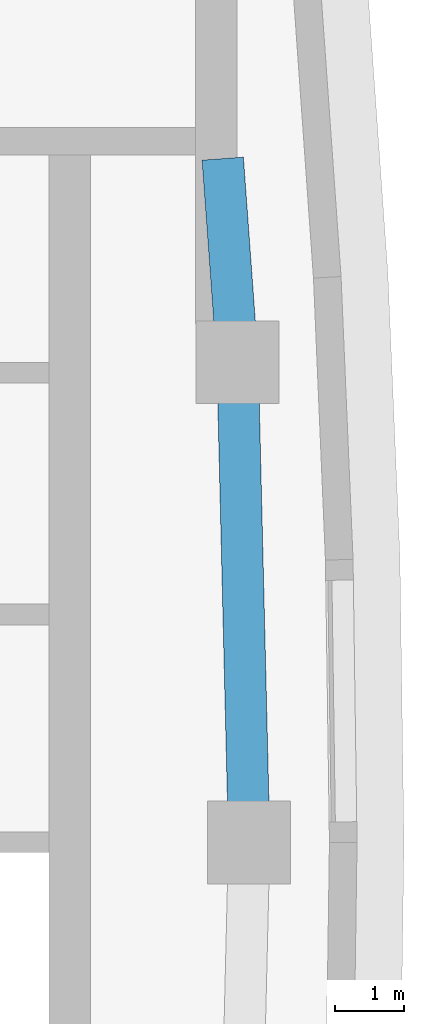
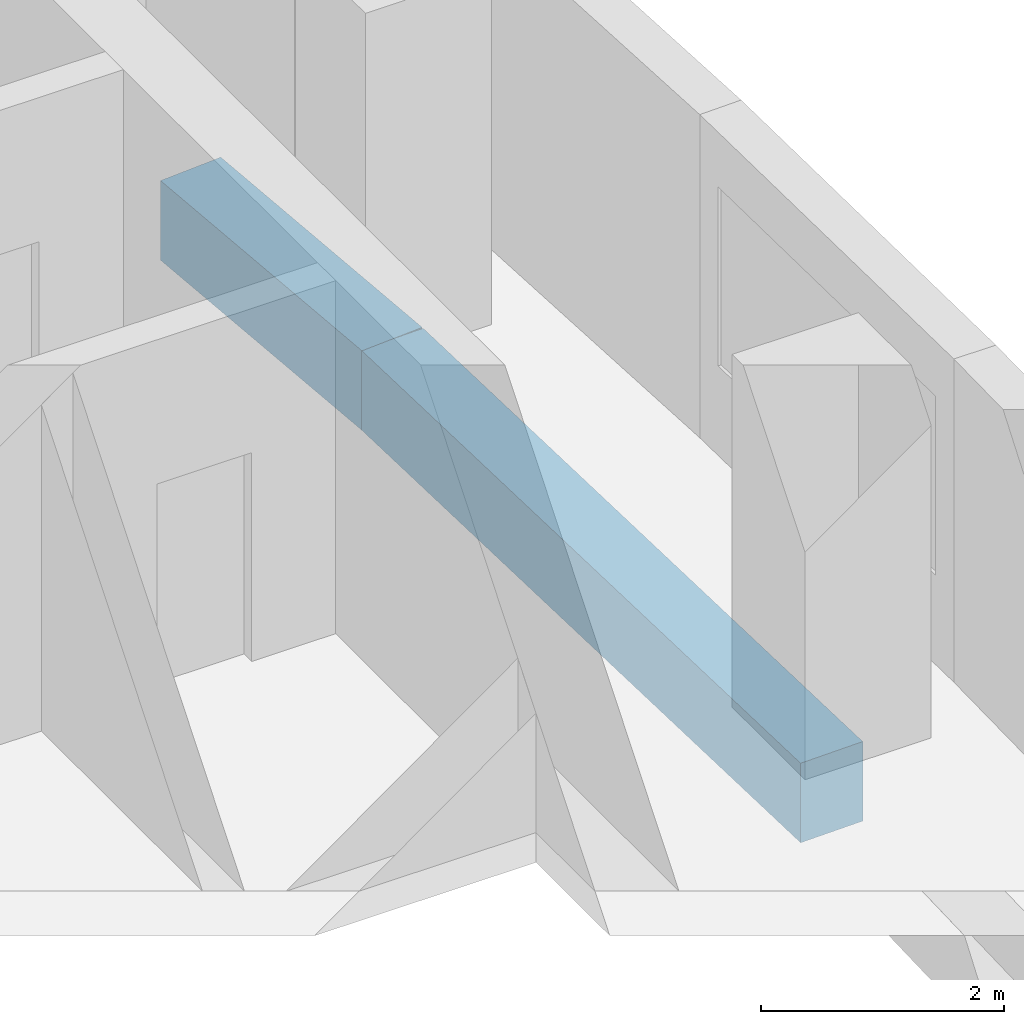
# One storey, part 5 of 15: 2 beams.
"""IFC4 building model written with IfcOpenShell, lengths in metres."""

from ifc_helpers import new_model, si_unit, direction, frame, origin, origin_2d, place, context, subcontext, project, spatial, rectangle, extrude, material, material_profile, profile_set, type_object, element, save


model = new_model("IFC4")

# Units and contexts
model_context = context("Model", 3, precision=1e-05, world=origin(), true_north=direction((0.0, 1.0)))
body_context = subcontext(model_context, "Body", "Model", "MODEL_VIEW")
ifc_project = project(units=[si_unit("LENGTHUNIT", "METRE"), si_unit("AREAUNIT", "SQUARE_METRE"), si_unit("VOLUMEUNIT", "CUBIC_METRE"), si_unit("PLANEANGLEUNIT", "RADIAN"), si_unit("MASSUNIT", "GRAM", prefix="KILO")], contexts=[model_context])

# Site, building, storey
site_placement = place(None, origin())
site = spatial("IfcSite", under=ifc_project, at=site_placement, CompositionType="ELEMENT")
building_placement = place(site_placement, origin())
building = spatial("IfcBuilding", under=site, at=building_placement, Name="Ostrand Prow Hotel Tower", CompositionType="ELEMENT")
storey_placement = place(building_placement, frame((0.0, 0.0, 235.0)))
storey = spatial("IfcBuildingStorey", under=building, at=storey_placement, Name="L59", CompositionType="ELEMENT", Elevation=235.0)

# Beams
ifc_material = material(Name="Concrete C50/60", Category="concrete")
ifc_material_profile = material_profile(ifc_material, rectangle(XDim=0.60009765625, YDim=0.800048828125, at=origin_2d()), Name="RC 600x800")
ifc_profile_set = profile_set([ifc_material_profile], Name="Concrete C50/60")
beam_type = type_object("IfcBeamType", Name="Edge beam 600x800 C50/60", PredefinedType="SPANDREL", material=ifc_profile_set)
beam_1_placement = place(storey_placement, frame((64.5, 0.0, -0.699951171875), z_axis=(-0.024223820991, 0.999706560195, 0.0), x_axis=(-0.999706560195, -0.024223820991, 0.0)))
element("IfcBeam", 1, at=beam_1_placement, inside=storey, type_object=beam_type, Name="Edge beam B3-B4", PredefinedType="SPANDREL", context=body_context, shape_type="SweptSolid", body=[
    extrude(rectangle(XDim=0.60009765625, YDim=0.800048828125, at=origin_2d()), origin(), (0.0, 0.0, 1.0), 6.9541015625),
])
beam_2_placement = place(storey_placement, frame((64.33154296875, 6.9521484375, -0.699951171875), z_axis=(-0.072691068771, 0.997354504938, 0.0), x_axis=(-0.997354504938, -0.072691068771, 0.0)))
element("IfcBeam", 2, at=beam_2_placement, inside=storey, type_object=beam_type, Name="Edge beam B4-B5", PredefinedType="SPANDREL", context=body_context, shape_type="SweptSolid", body=[
    extrude(rectangle(XDim=0.60009765625, YDim=0.800048828125, at=origin_2d()), origin(), (0.0, 0.0, 1.0), 2.95556640625),
])

save(model, "model.ifc")
